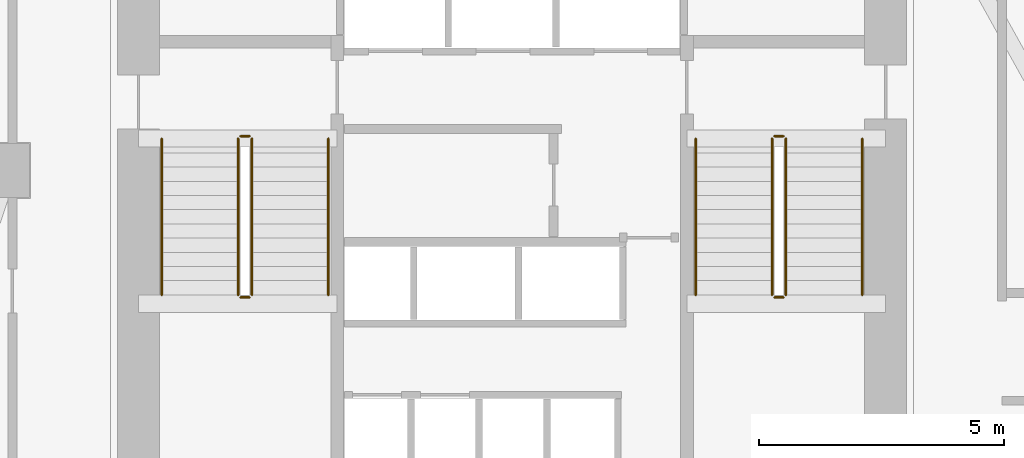
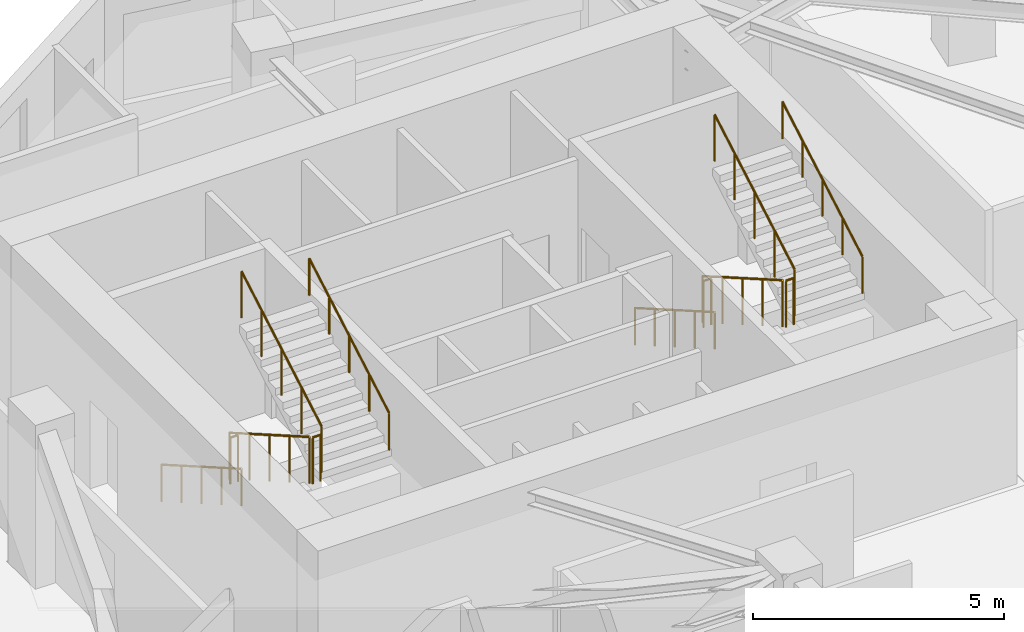
# One storey, part 11 of 11: 12 railings.
"""IFC4 building model written with IfcOpenShell, lengths in metres."""

from ifc_helpers import new_model, si_unit, direction, frame, origin, origin_2d, place, context, subcontext, project, spatial, circle, extrude, material, type_object, element, save


model = new_model("IFC4")

# Units and contexts
model_context = context("Model", 3, precision=1e-05, world=origin(), true_north=direction((0.0, 1.0)))
body_context = subcontext(model_context, "Body", "Model", "MODEL_VIEW")
ifc_project = project(units=[si_unit("LENGTHUNIT", "METRE"), si_unit("AREAUNIT", "SQUARE_METRE"), si_unit("VOLUMEUNIT", "CUBIC_METRE"), si_unit("PLANEANGLEUNIT", "RADIAN"), si_unit("MASSUNIT", "GRAM", prefix="KILO")], contexts=[model_context])

# Site, building, storey
site_placement = place(None, origin())
site = spatial("IfcSite", under=ifc_project, at=site_placement, CompositionType="ELEMENT")
building_placement = place(site_placement, origin())
building = spatial("IfcBuilding", under=site, at=building_placement, Name="Calvemar Wedge Station Tower", CompositionType="ELEMENT")
storey_placement = place(building_placement, frame((0.0, 0.0, 55.0)))
storey = spatial("IfcBuildingStorey", under=building, at=storey_placement, Name="L13", CompositionType="ELEMENT", Elevation=55.0)

# Railings
ifc_material_1 = material(Name="Stainless steel AISI 316L", Category="steel")
railing_type_1 = type_object("IfcRailingType", Name="RL-HANDRAIL-920", PredefinedType="HANDRAIL", material=ifc_material_1)
railing_1_placement = place(storey_placement, frame((16.64990234375, 41.14990234375, 0.166748046875)))
element("IfcRailing", 1, at=railing_1_placement, inside=storey, type_object=railing_type_1, Name="L13 ST-C1 stair handrail 1", PredefinedType="HANDRAIL", context=body_context, shape_type="SweptSolid", body=[
    extrude(circle(Radius=0.02392578125, at=origin_2d()), frame((0.0, 0.0, 0.89599609375), z_axis=(0.0, -0.867019545617, 0.498274128887), x_axis=(1.0, 0.0, 0.0)), (0.0, 0.0, 1.0), 3.67919921875),
    extrude(circle(Radius=0.02099609375, at=origin_2d()), origin(), (0.0, 0.0, 1.0), 0.871826171875),
    extrude(circle(Radius=0.02099609375, at=origin_2d()), frame((0.0, -0.79736328125, 0.458251953125)), (0.0, 0.0, 1.0), 0.871826171875),
    extrude(circle(Radius=0.02099609375, at=origin_2d()), frame((0.0, -1.594970703125, 0.91650390625)), (0.0, 0.0, 1.0), 0.871826171875),
    extrude(circle(Radius=0.02099609375, at=origin_2d()), frame((0.0, -2.392578125, 1.375)), (0.0, 0.0, 1.0), 0.871826171875),
    extrude(circle(Radius=0.02099609375, at=origin_2d()), frame((0.0, -3.18994140625, 1.833251953125)), (0.0, 0.0, 1.0), 0.871826171875),
])
railing_2_placement = place(storey_placement, frame((20.050048828125, 37.9599609375, 2.166748046875)))
element("IfcRailing", 2, at=railing_2_placement, inside=storey, type_object=railing_type_1, Name="L13 ST-C1 stair handrail 2", PredefinedType="HANDRAIL", context=body_context, shape_type="SweptSolid", body=[
    extrude(circle(Radius=0.02392578125, at=origin_2d()), frame((0.0, 0.0, 0.89599609375), z_axis=(0.0, 0.867019545617, 0.498274128887), x_axis=(-1.0, 0.0, 0.0)), (0.0, 0.0, 1.0), 3.67919921875),
    extrude(circle(Radius=0.02099609375, at=origin_2d()), origin(), (0.0, 0.0, 1.0), 0.871826171875),
    extrude(circle(Radius=0.02099609375, at=origin_2d()), frame((0.0, 0.79736328125, 0.458251953125)), (0.0, 0.0, 1.0), 0.871826171875),
    extrude(circle(Radius=0.02099609375, at=origin_2d()), frame((0.0, 1.594970703125, 0.91650390625)), (0.0, 0.0, 1.0), 0.871826171875),
    extrude(circle(Radius=0.02099609375, at=origin_2d()), frame((0.0, 2.392578125, 1.375)), (0.0, 0.0, 1.0), 0.871826171875),
    extrude(circle(Radius=0.02099609375, at=origin_2d()), frame((0.0, 3.18994140625, 1.833251953125)), (0.0, 0.0, 1.0), 0.871826171875),
])
railing_3_placement = place(storey_placement, frame((27.550048828125, 41.14990234375, 0.166748046875)))
element("IfcRailing", 3, at=railing_3_placement, inside=storey, type_object=railing_type_1, Name="L13 ST-C2 stair handrail 1", PredefinedType="HANDRAIL", context=body_context, shape_type="SweptSolid", body=[
    extrude(circle(Radius=0.02392578125, at=origin_2d()), frame((0.0, 0.0, 0.89599609375), z_axis=(0.0, -0.867019545617, 0.498274128887), x_axis=(1.0, 0.0, 0.0)), (0.0, 0.0, 1.0), 3.67919921875),
    extrude(circle(Radius=0.02099609375, at=origin_2d()), origin(), (0.0, 0.0, 1.0), 0.871826171875),
    extrude(circle(Radius=0.02099609375, at=origin_2d()), frame((0.0, -0.79736328125, 0.458251953125)), (0.0, 0.0, 1.0), 0.871826171875),
    extrude(circle(Radius=0.02099609375, at=origin_2d()), frame((0.0, -1.594970703125, 0.91650390625)), (0.0, 0.0, 1.0), 0.871826171875),
    extrude(circle(Radius=0.02099609375, at=origin_2d()), frame((0.0, -2.392578125, 1.375)), (0.0, 0.0, 1.0), 0.871826171875),
    extrude(circle(Radius=0.02099609375, at=origin_2d()), frame((0.0, -3.18994140625, 1.833251953125)), (0.0, 0.0, 1.0), 0.871826171875),
])
railing_4_placement = place(storey_placement, frame((30.949951171875, 37.9599609375, 2.166748046875)))
element("IfcRailing", 4, at=railing_4_placement, inside=storey, type_object=railing_type_1, Name="L13 ST-C2 stair handrail 2", PredefinedType="HANDRAIL", context=body_context, shape_type="SweptSolid", body=[
    extrude(circle(Radius=0.02392578125, at=origin_2d()), frame((0.0, 0.0, 0.89599609375), z_axis=(0.0, 0.867019545617, 0.498274128887), x_axis=(-1.0, 0.0, 0.0)), (0.0, 0.0, 1.0), 3.67919921875),
    extrude(circle(Radius=0.02099609375, at=origin_2d()), origin(), (0.0, 0.0, 1.0), 0.871826171875),
    extrude(circle(Radius=0.02099609375, at=origin_2d()), frame((0.0, 0.79736328125, 0.458251953125)), (0.0, 0.0, 1.0), 0.871826171875),
    extrude(circle(Radius=0.02099609375, at=origin_2d()), frame((0.0, 1.594970703125, 0.91650390625)), (0.0, 0.0, 1.0), 0.871826171875),
    extrude(circle(Radius=0.02099609375, at=origin_2d()), frame((0.0, 2.392578125, 1.375)), (0.0, 0.0, 1.0), 0.871826171875),
    extrude(circle(Radius=0.02099609375, at=origin_2d()), frame((0.0, 3.18994140625, 1.833251953125)), (0.0, 0.0, 1.0), 0.871826171875),
])
ifc_material_2 = material(Name="Painted steel guardrail ASTM A500 Grade C", Category="steel")
railing_type_2 = type_object("IfcRailingType", Name="RL-STAIR-GUARD-1150", PredefinedType="GUARDRAIL", material=ifc_material_2)
railing_5_placement = place(storey_placement, frame((18.2099609375, 41.14990234375, 0.166748046875)))
element("IfcRailing", 5, at=railing_5_placement, inside=storey, type_object=railing_type_2, Name="L13 ST-C1 stair guard 1", PredefinedType="GUARDRAIL", context=body_context, shape_type="SweptSolid", body=[
    extrude(circle(Radius=0.02392578125, at=origin_2d()), frame((0.0, 0.0, 1.1259765625), z_axis=(0.0, -0.867019545617, 0.498274128887), x_axis=(1.0, 0.0, 0.0)), (0.0, 0.0, 1.0), 3.67919921875),
    extrude(circle(Radius=0.02099609375, at=origin_2d()), origin(), (0.0, 0.0, 1.0), 1.101806640625),
    extrude(circle(Radius=0.02099609375, at=origin_2d()), frame((0.0, -0.79736328125, 0.458251953125)), (0.0, 0.0, 1.0), 1.101806640625),
    extrude(circle(Radius=0.02099609375, at=origin_2d()), frame((0.0, -1.594970703125, 0.91650390625)), (0.0, 0.0, 1.0), 1.101806640625),
    extrude(circle(Radius=0.02099609375, at=origin_2d()), frame((0.0, -2.392578125, 1.375)), (0.0, 0.0, 1.0), 1.101806640625),
    extrude(circle(Radius=0.02099609375, at=origin_2d()), frame((0.0, -3.18994140625, 1.833251953125)), (0.0, 0.0, 1.0), 1.101806640625),
])
railing_6_placement = place(storey_placement, frame((18.260009765625, 37.909912109375, 2.0)))
element("IfcRailing", 6, at=railing_6_placement, inside=storey, type_object=railing_type_2, Name="L13 ST-C1 stair guard 2", PredefinedType="GUARDRAIL", context=body_context, shape_type="SweptSolid", body=[
    extrude(circle(Radius=0.02392578125, at=origin_2d()), frame((0.0, 0.0, 1.1259765625), z_axis=(1.0, 0.0, 0.0), x_axis=(0.0, 1.0, 0.0)), (0.0, 0.0, 1.0), 0.179931640625),
    extrude(circle(Radius=0.02099609375, at=origin_2d()), origin(), (0.0, 0.0, 1.0), 1.101806640625),
    extrude(circle(Radius=0.02099609375, at=origin_2d()), frame((0.179931640625, 0.0, 0.0)), (0.0, 0.0, 1.0), 1.101806640625),
])
railing_7_placement = place(storey_placement, frame((18.489990234375, 37.9599609375, 2.166748046875)))
element("IfcRailing", 7, at=railing_7_placement, inside=storey, type_object=railing_type_2, Name="L13 ST-C1 stair guard 3", PredefinedType="GUARDRAIL", context=body_context, shape_type="SweptSolid", body=[
    extrude(circle(Radius=0.02392578125, at=origin_2d()), frame((0.0, 0.0, 1.1259765625), z_axis=(0.0, 0.867019545617, 0.498274128887), x_axis=(-1.0, 0.0, 0.0)), (0.0, 0.0, 1.0), 3.67919921875),
    extrude(circle(Radius=0.02099609375, at=origin_2d()), origin(), (0.0, 0.0, 1.0), 1.101806640625),
    extrude(circle(Radius=0.02099609375, at=origin_2d()), frame((0.0, 0.79736328125, 0.458251953125)), (0.0, 0.0, 1.0), 1.101806640625),
    extrude(circle(Radius=0.02099609375, at=origin_2d()), frame((0.0, 1.594970703125, 0.91650390625)), (0.0, 0.0, 1.0), 1.101806640625),
    extrude(circle(Radius=0.02099609375, at=origin_2d()), frame((0.0, 2.392578125, 1.375)), (0.0, 0.0, 1.0), 1.101806640625),
    extrude(circle(Radius=0.02099609375, at=origin_2d()), frame((0.0, 3.18994140625, 1.833251953125)), (0.0, 0.0, 1.0), 1.101806640625),
])
railing_8_placement = place(storey_placement, frame((18.260009765625, 41.199951171875, 0.0)))
element("IfcRailing", 8, at=railing_8_placement, inside=storey, type_object=railing_type_2, Name="L13 ST-C1 stair guard 4", PredefinedType="GUARDRAIL", context=body_context, shape_type="SweptSolid", body=[
    extrude(circle(Radius=0.02392578125, at=origin_2d()), frame((0.0, 0.0, 1.1259765625), z_axis=(1.0, 0.0, 0.0), x_axis=(0.0, 1.0, 0.0)), (0.0, 0.0, 1.0), 0.179931640625),
    extrude(circle(Radius=0.02099609375, at=origin_2d()), origin(), (0.0, 0.0, 1.0), 1.101806640625),
    extrude(circle(Radius=0.02099609375, at=origin_2d()), frame((0.179931640625, 0.0, 0.0)), (0.0, 0.0, 1.0), 1.101806640625),
])
railing_9_placement = place(storey_placement, frame((29.110107421875, 41.14990234375, 0.166748046875)))
element("IfcRailing", 9, at=railing_9_placement, inside=storey, type_object=railing_type_2, Name="L13 ST-C2 stair guard 1", PredefinedType="GUARDRAIL", context=body_context, shape_type="SweptSolid", body=[
    extrude(circle(Radius=0.02392578125, at=origin_2d()), frame((0.0, 0.0, 1.1259765625), z_axis=(0.0, -0.867019545617, 0.498274128887), x_axis=(1.0, 0.0, 0.0)), (0.0, 0.0, 1.0), 3.67919921875),
    extrude(circle(Radius=0.02099609375, at=origin_2d()), origin(), (0.0, 0.0, 1.0), 1.101806640625),
    extrude(circle(Radius=0.02099609375, at=origin_2d()), frame((0.0, -0.79736328125, 0.458251953125)), (0.0, 0.0, 1.0), 1.101806640625),
    extrude(circle(Radius=0.02099609375, at=origin_2d()), frame((0.0, -1.594970703125, 0.91650390625)), (0.0, 0.0, 1.0), 1.101806640625),
    extrude(circle(Radius=0.02099609375, at=origin_2d()), frame((0.0, -2.392578125, 1.375)), (0.0, 0.0, 1.0), 1.101806640625),
    extrude(circle(Radius=0.02099609375, at=origin_2d()), frame((0.0, -3.18994140625, 1.833251953125)), (0.0, 0.0, 1.0), 1.101806640625),
])
railing_10_placement = place(storey_placement, frame((29.159912109375, 37.909912109375, 2.0)))
element("IfcRailing", 10, at=railing_10_placement, inside=storey, type_object=railing_type_2, Name="L13 ST-C2 stair guard 2", PredefinedType="GUARDRAIL", context=body_context, shape_type="SweptSolid", body=[
    extrude(circle(Radius=0.02392578125, at=origin_2d()), frame((0.0, 0.0, 1.1259765625), z_axis=(1.0, 0.0, 0.0), x_axis=(0.0, 1.0, 0.0)), (0.0, 0.0, 1.0), 0.18017578125),
    extrude(circle(Radius=0.02099609375, at=origin_2d()), origin(), (0.0, 0.0, 1.0), 1.101806640625),
    extrude(circle(Radius=0.02099609375, at=origin_2d()), frame((0.18017578125, 0.0, 0.0)), (0.0, 0.0, 1.0), 1.101806640625),
])
railing_11_placement = place(storey_placement, frame((29.389892578125, 37.9599609375, 2.166748046875)))
element("IfcRailing", 11, at=railing_11_placement, inside=storey, type_object=railing_type_2, Name="L13 ST-C2 stair guard 3", PredefinedType="GUARDRAIL", context=body_context, shape_type="SweptSolid", body=[
    extrude(circle(Radius=0.02392578125, at=origin_2d()), frame((0.0, 0.0, 1.1259765625), z_axis=(0.0, 0.867019545617, 0.498274128887), x_axis=(-1.0, 0.0, 0.0)), (0.0, 0.0, 1.0), 3.67919921875),
    extrude(circle(Radius=0.02099609375, at=origin_2d()), origin(), (0.0, 0.0, 1.0), 1.101806640625),
    extrude(circle(Radius=0.02099609375, at=origin_2d()), frame((0.0, 0.79736328125, 0.458251953125)), (0.0, 0.0, 1.0), 1.101806640625),
    extrude(circle(Radius=0.02099609375, at=origin_2d()), frame((0.0, 1.594970703125, 0.91650390625)), (0.0, 0.0, 1.0), 1.101806640625),
    extrude(circle(Radius=0.02099609375, at=origin_2d()), frame((0.0, 2.392578125, 1.375)), (0.0, 0.0, 1.0), 1.101806640625),
    extrude(circle(Radius=0.02099609375, at=origin_2d()), frame((0.0, 3.18994140625, 1.833251953125)), (0.0, 0.0, 1.0), 1.101806640625),
])
railing_12_placement = place(storey_placement, frame((29.159912109375, 41.199951171875, 0.0)))
element("IfcRailing", 12, at=railing_12_placement, inside=storey, type_object=railing_type_2, Name="L13 ST-C2 stair guard 4", PredefinedType="GUARDRAIL", context=body_context, shape_type="SweptSolid", body=[
    extrude(circle(Radius=0.02392578125, at=origin_2d()), frame((0.0, 0.0, 1.1259765625), z_axis=(1.0, 0.0, 0.0), x_axis=(0.0, 1.0, 0.0)), (0.0, 0.0, 1.0), 0.18017578125),
    extrude(circle(Radius=0.02099609375, at=origin_2d()), origin(), (0.0, 0.0, 1.0), 1.101806640625),
    extrude(circle(Radius=0.02099609375, at=origin_2d()), frame((0.18017578125, 0.0, 0.0)), (0.0, 0.0, 1.0), 1.101806640625),
])

save(model, "model.ifc")
